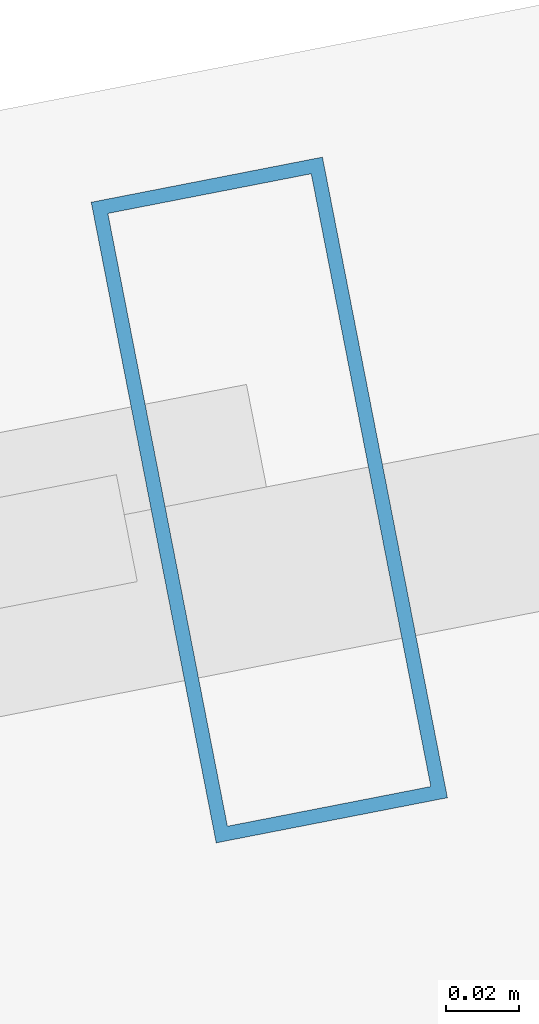
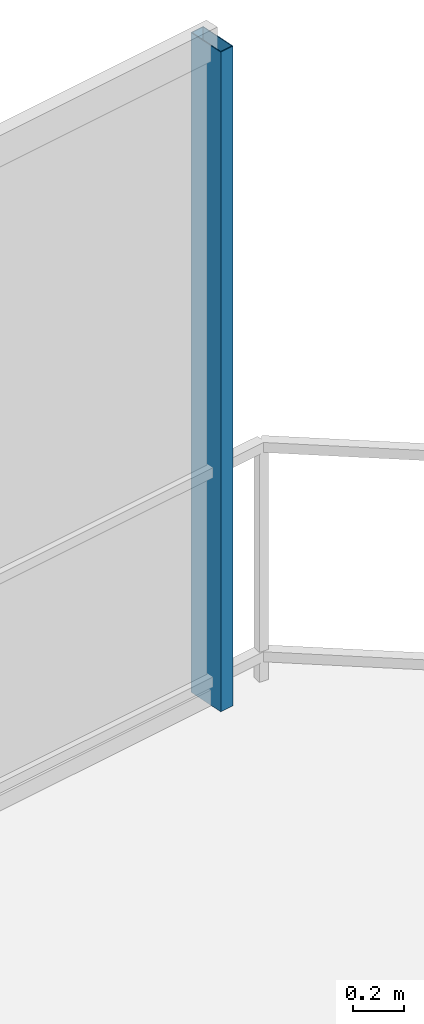
# One storey, part 21 of 27: 1 member, 1 element without a shape of its own.
"""IFC4 building model written with IfcOpenShell, lengths in metres."""

from ifc_helpers import new_model, si_unit, direction, frame, origin, origin_2d, place, context, subcontext, project, spatial, hollow_rectangle, extrude, material, layer, layer_set, material_profile, profile_set, type_object, element, aggregate, save


model = new_model("IFC4")

# Units and contexts
model_context = context("Model", 3, precision=1e-05, world=origin(), true_north=direction((0.0, 1.0)))
body_context = subcontext(model_context, "Body", "Model", "MODEL_VIEW")
ifc_project = project(units=[si_unit("LENGTHUNIT", "METRE"), si_unit("AREAUNIT", "SQUARE_METRE"), si_unit("VOLUMEUNIT", "CUBIC_METRE"), si_unit("PLANEANGLEUNIT", "RADIAN"), si_unit("MASSUNIT", "GRAM", prefix="KILO")], contexts=[model_context])

# Site, building, storey
site_placement = place(None, origin())
site = spatial("IfcSite", under=ifc_project, at=site_placement, CompositionType="ELEMENT")
building_placement = place(site_placement, origin())
building = spatial("IfcBuilding", under=site, at=building_placement, Name="Qarnah Convention Tower", CompositionType="ELEMENT")
storey_placement = place(building_placement, frame((0.0, 0.0, 107.39990234375)))
storey = spatial("IfcBuildingStorey", under=building, at=storey_placement, Name="L28", CompositionType="ELEMENT", Elevation=107.39990234375)

# Curtain wall, member
ifc_material_1 = material(Name="Tempered Low-E dark glass", Category="glass")
ifc_layer = layer(ifc_material_1, 0.169921875)
ifc_layer_set = layer_set([ifc_layer], Name="Tempered Low-E dark glass")
curtain_wall_type = type_object("IfcCurtainWallType", Name="CWS-02", PredefinedType="NOTDEFINED", material=ifc_layer_set)
curtain_wall_placement = place(storey_placement, origin())
curtain_wall = element("IfcCurtainWall", 1, at=curtain_wall_placement, inside=storey, type_object=curtain_wall_type, Name="L28 unitised curtain wall CW-L28-F1", PredefinedType="NOTDEFINED")
ifc_material_2 = material(Name="Black anodised aluminium", Category="aluminium")
ifc_material_profile = material_profile(ifc_material_2, hollow_rectangle(XDim=0.06494140625, YDim=0.179931640625, WallThickness=0.00390625, at=origin_2d()), Name="MUL-65X180")
ifc_profile_set = profile_set([ifc_material_profile], Name="Black anodised aluminium")
member_type = type_object("IfcMemberType", Name="MUL-T2", PredefinedType="MULLION", material=ifc_profile_set)
member_placement = place(storey_placement, frame((50.660888671875, 46.568115234375, 0.0), z_axis=(0.0, 0.0, 1.0), x_axis=(0.981494509817, 0.191490279646, 0.0)))
member = element("IfcMember", 2, at=member_placement, type_object=member_type, Name="CW-L28-F1 mullion 6", PredefinedType="MULLION", context=body_context, shape_type="SweptSolid", body=[
    extrude(hollow_rectangle(XDim=0.06494140625, YDim=0.179931640625, WallThickness=0.00390625, at=origin_2d()), origin(), (0.0, 0.0, 1.0), 3.170166015625),
])
aggregate(curtain_wall, [member])

save(model, "model.ifc")
